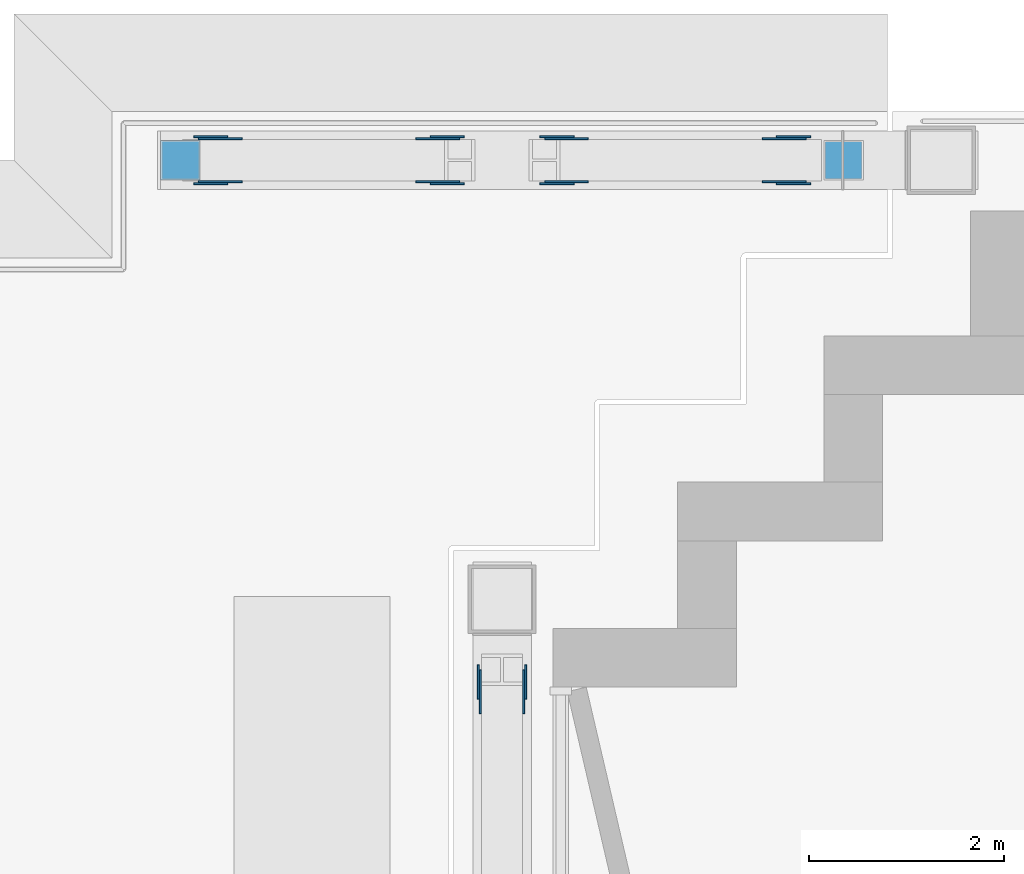
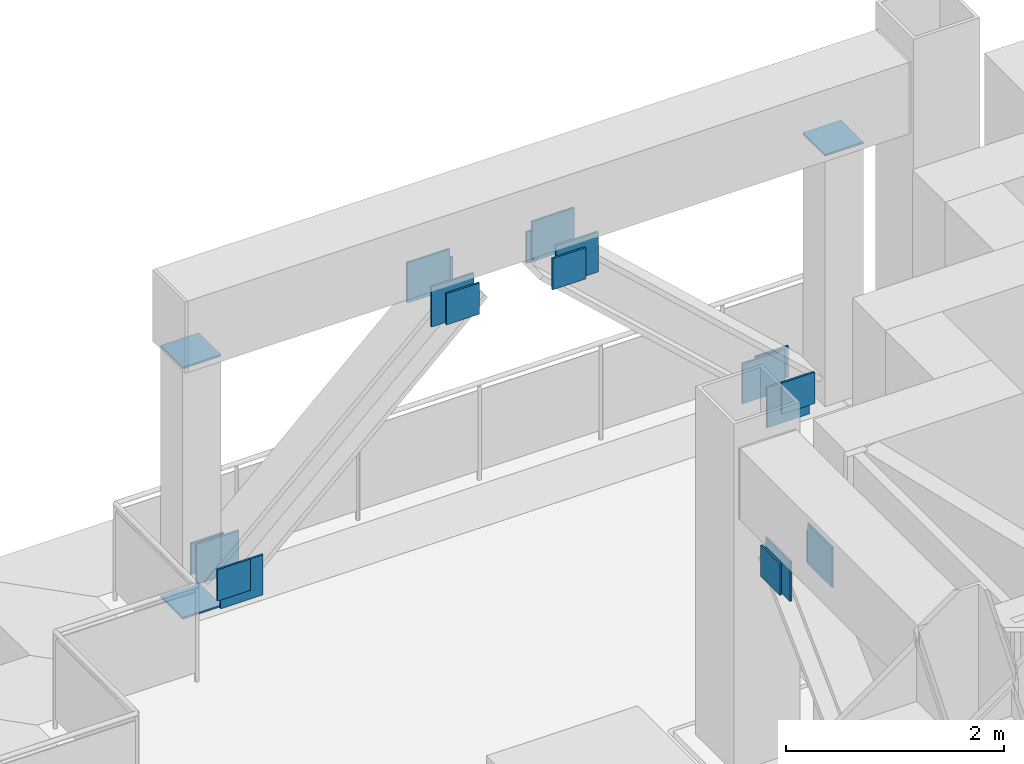
# One storey, part 16 of 21: 23 discrete accessories.
"""IFC4 building model written with IfcOpenShell, lengths in metres."""

from ifc_helpers import new_model, si_unit, direction, frame, origin, origin_2d, place, context, subcontext, project, spatial, rectangle, extrude, element, save


model = new_model("IFC4")

# Units and contexts
model_context = context("Model", 3, precision=1e-05, world=origin(), true_north=direction((0.0, 1.0)))
body_context = subcontext(model_context, "Body", "Model", "MODEL_VIEW")
ifc_project = project(units=[si_unit("LENGTHUNIT", "METRE"), si_unit("AREAUNIT", "SQUARE_METRE"), si_unit("VOLUMEUNIT", "CUBIC_METRE"), si_unit("PLANEANGLEUNIT", "RADIAN"), si_unit("MASSUNIT", "GRAM", prefix="KILO")], contexts=[model_context])

# Site, building, storey
site_placement = place(None, origin())
site = spatial("IfcSite", under=ifc_project, at=site_placement, CompositionType="ELEMENT")
building_placement = place(site_placement, origin())
building = spatial("IfcBuilding", under=site, at=building_placement, Name="Vidyagriha Tower", CompositionType="ELEMENT")
storey_placement = place(building_placement, frame((0.0, 0.0, 161.39990234375)))
storey = spatial("IfcBuildingStorey", under=building, at=storey_placement, Name="L41", CompositionType="ELEMENT", Elevation=161.39990234375)

# Discrete accessories
for number, where, name in (
    (1, (-28.390380859375, 19.721923828125, 0.0), "Truss gusset plate ASTM A572 Grade 50 20mm"),
    (2, (-28.390380859375, 19.278076171875, 0.0), "Truss gusset plate ASTM A572 Grade 50 20mm"),
    (3, (-26.15966796875, 19.721923828125, 2.3701171875), "Truss gusset plate ASTM A572 Grade 50 20mm"),
    (4, (-26.15966796875, 19.278076171875, 2.3701171875), "Truss gusset plate ASTM A572 Grade 50 20mm"),
    (5, (-24.84033203125, 19.721923828125, 2.3701171875), "Truss gusset plate ASTM A572 Grade 50 20mm"),
    (6, (-24.84033203125, 19.278076171875, 2.3701171875), "Truss gusset plate ASTM A572 Grade 50 20mm"),
    (7, (-22.609619140625, 19.721923828125, 0.0), "Truss gusset plate ASTM A572 Grade 50 20mm"),
    (8, (-22.609619140625, 19.278076171875, 0.0), "Truss gusset plate ASTM A572 Grade 50 20mm"),
):
    element("IfcDiscreteAccessory", number, at=place(storey_placement, frame(where)), inside=storey, Name=name, ObjectType="GUSSET PLATE", PredefinedType="USERDEFINED", context=body_context, shape_type="SweptSolid", body=[
        extrude(rectangle(XDim=0.449951171875, YDim=0.02001953125, at=origin_2d()), origin(), (0.0, 0.0, 1.0), 0.449951171875),
    ])
for number, where, z_axis, x_axis, name in (
    (9, (-25.721923828125, 14.0537109375, 2.3701171875), (0.0, 0.0, 1.0), (0.0, 1.0, 0.0), "Truss gusset plate ASTM A572 Grade 50 20mm"),
    (10, (-25.278076171875, 14.0537109375, 2.3701171875), (0.0, 0.0, 1.0), (0.0, 1.0, 0.0), "Truss gusset plate ASTM A572 Grade 50 20mm"),
):
    element("IfcDiscreteAccessory", number, at=place(storey_placement, frame(where, z_axis=z_axis, x_axis=x_axis)), inside=storey, Name=name, ObjectType="GUSSET PLATE", PredefinedType="USERDEFINED", context=body_context, shape_type="SweptSolid", body=[
        extrude(rectangle(XDim=0.449951171875, YDim=0.02001953125, at=origin_2d()), origin(), (0.0, 0.0, 1.0), 0.449951171875),
    ])
for number, where, z_axis, x_axis, name in (
    (11, (-28.48681640625, 19.257568359375, 0.114501953125), (0.0, 0.0, 1.0), (-1.0, 0.0, 0.0), "End plate ASTM A572 Grade 50 20mm"),
    (12, (-28.48681640625, 19.742431640625, 0.114501953125), (0.0, 0.0, 1.0), (-1.0, 0.0, 0.0), "End plate ASTM A572 Grade 50 20mm"),
):
    element("IfcDiscreteAccessory", number, at=place(storey_placement, frame(where, z_axis=z_axis, x_axis=x_axis)), inside=storey, Name=name, ObjectType="END PLATE", PredefinedType="USERDEFINED", context=body_context, shape_type="SweptSolid", body=[
        extrude(rectangle(XDim=0.35009765625, YDim=0.02001953125, at=origin_2d()), origin(), (0.0, 0.0, 1.0), 0.35009765625),
    ])
for number, where, name in (
    (13, (-26.06298828125, 19.742431640625, 2.35546875), "End plate ASTM A572 Grade 50 20mm"),
    (14, (-26.06298828125, 19.257568359375, 2.35546875), "End plate ASTM A572 Grade 50 20mm"),
):
    element("IfcDiscreteAccessory", number, at=place(storey_placement, frame(where)), inside=storey, Name=name, ObjectType="END PLATE", PredefinedType="USERDEFINED", context=body_context, shape_type="SweptSolid", body=[
        extrude(rectangle(XDim=0.35009765625, YDim=0.02001953125, at=origin_2d()), origin(), (0.0, 0.0, 1.0), 0.35009765625),
    ])
for number, where, z_axis, x_axis, name in (
    (15, (-24.93701171875, 19.257568359375, 2.35546875), (0.0, 0.0, 1.0), (-1.0, 0.0, 0.0), "End plate ASTM A572 Grade 50 20mm"),
    (16, (-24.93701171875, 19.742431640625, 2.35546875), (0.0, 0.0, 1.0), (-1.0, 0.0, 0.0), "End plate ASTM A572 Grade 50 20mm"),
):
    element("IfcDiscreteAccessory", number, at=place(storey_placement, frame(where, z_axis=z_axis, x_axis=x_axis)), inside=storey, Name=name, ObjectType="END PLATE", PredefinedType="USERDEFINED", context=body_context, shape_type="SweptSolid", body=[
        extrude(rectangle(XDim=0.35009765625, YDim=0.02001953125, at=origin_2d()), origin(), (0.0, 0.0, 1.0), 0.35009765625),
    ])
for number, where, name in (
    (17, (-22.51318359375, 19.742431640625, 0.114501953125), "End plate ASTM A572 Grade 50 20mm"),
    (18, (-22.51318359375, 19.257568359375, 0.114501953125), "End plate ASTM A572 Grade 50 20mm"),
):
    element("IfcDiscreteAccessory", number, at=place(storey_placement, frame(where)), inside=storey, Name=name, ObjectType="END PLATE", PredefinedType="USERDEFINED", context=body_context, shape_type="SweptSolid", body=[
        extrude(rectangle(XDim=0.35009765625, YDim=0.02001953125, at=origin_2d()), origin(), (0.0, 0.0, 1.0), 0.35009765625),
    ])
for number, where, name in (
    (19, (-28.796875, 19.5, 0.0), "End plate ASTM A572 Grade 50 20mm"),
    (20, (-28.796875, 19.5, 2.80029296875), "End plate ASTM A572 Grade 50 20mm"),
    (21, (-22.0, 19.5, 2.80029296875), "End plate ASTM A572 Grade 50 20mm"),
):
    element("IfcDiscreteAccessory", number, at=place(storey_placement, frame(where)), inside=storey, Name=name, ObjectType="END PLATE", PredefinedType="USERDEFINED", context=body_context, shape_type="SweptSolid", body=[
        extrude(rectangle(XDim=0.406494140625, YDim=0.406494140625, at=origin_2d()), origin(), (0.0, 0.0, 1.0), 0.02001953125),
    ])
for number, where, z_axis, x_axis, name in (
    (22, (-25.742431640625, 14.1533203125, 2.3564453125), (0.0, 0.0, 1.0), (0.0, 1.0, 0.0), "End plate ASTM A572 Grade 50 20mm"),
    (23, (-25.257568359375, 14.1533203125, 2.3564453125), (0.0, 0.0, 1.0), (0.0, 1.0, 0.0), "End plate ASTM A572 Grade 50 20mm"),
):
    element("IfcDiscreteAccessory", number, at=place(storey_placement, frame(where, z_axis=z_axis, x_axis=x_axis)), inside=storey, Name=name, ObjectType="END PLATE", PredefinedType="USERDEFINED", context=body_context, shape_type="SweptSolid", body=[
        extrude(rectangle(XDim=0.35009765625, YDim=0.02001953125, at=origin_2d()), origin(), (0.0, 0.0, 1.0), 0.35009765625),
    ])

save(model, "model.ifc")
